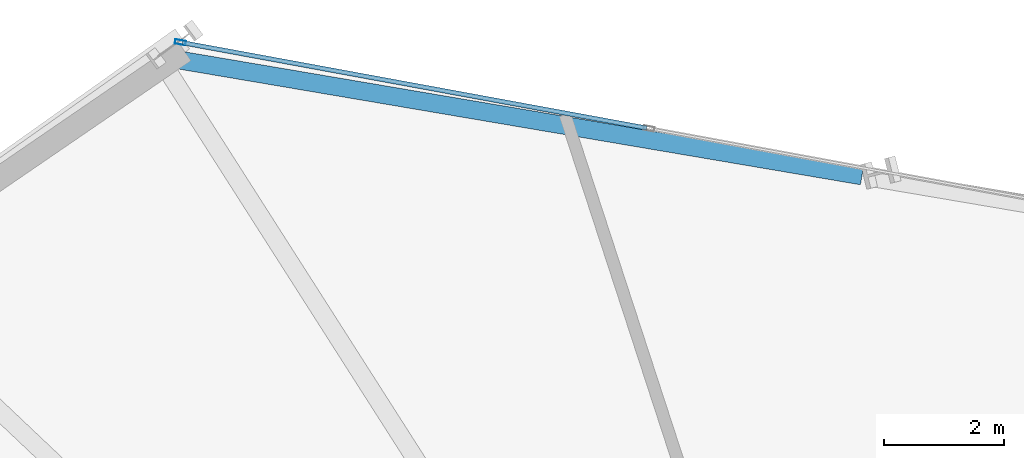
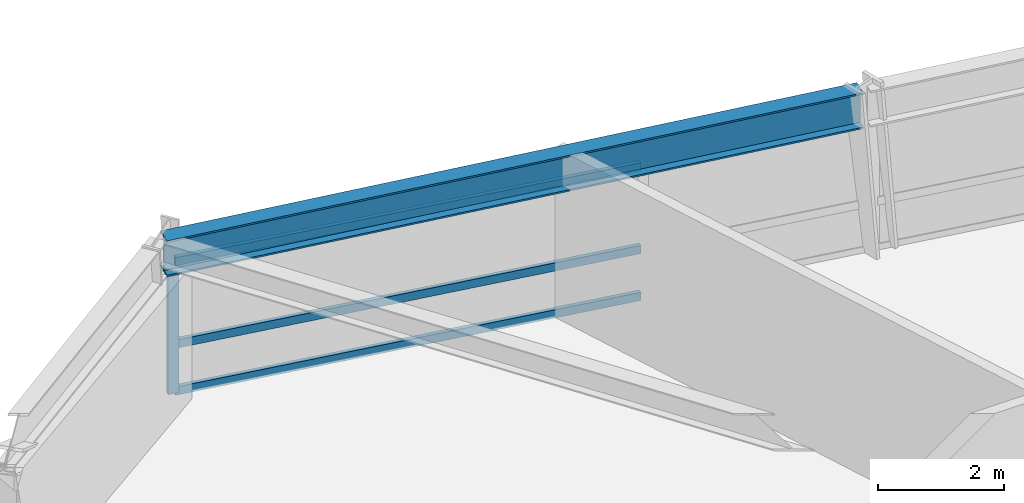
# One storey, part 8 of 20: 4 members, 1 beam, 1 element without a shape of its own.
"""IFC4 building model written with IfcOpenShell, lengths in metres."""

from ifc_helpers import new_model, si_unit, direction, frame, origin, origin_2d, place, context, subcontext, project, spatial, hollow_rectangle, i_section, extrude, source, transform, mapped, material, material_profile, profile_set, type_object, element, aggregate, save


model = new_model("IFC4")

# Units and contexts
model_context = context("Model", 3, precision=1e-05, world=origin(), true_north=direction((0.0, 1.0)))
body_context = subcontext(model_context, "Body", "Model", "MODEL_VIEW")
ifc_project = project(units=[si_unit("LENGTHUNIT", "METRE"), si_unit("AREAUNIT", "SQUARE_METRE"), si_unit("VOLUMEUNIT", "CUBIC_METRE"), si_unit("PLANEANGLEUNIT", "RADIAN"), si_unit("MASSUNIT", "GRAM", prefix="KILO")], contexts=[model_context])

# Site, building, storey
site_placement = place(None, origin())
site = spatial("IfcSite", under=ifc_project, at=site_placement, CompositionType="ELEMENT")
building_placement = place(site_placement, origin())
building = spatial("IfcBuilding", under=site, at=building_placement, Name="Olszyna Solenne Hotel", CompositionType="ELEMENT")
storey_placement = place(building_placement, frame((0.0, 0.0, 43.5)))
storey = spatial("IfcBuildingStorey", under=building, at=storey_placement, Name="L10", CompositionType="ELEMENT", Elevation=43.5)

# Beam
ifc_material_1 = material(Name="Steel S355J2", Category="steel")
ifc_material_profile_1 = material_profile(ifc_material_1, i_section(OverallWidth=0.300048828125, OverallDepth=0.699951171875, WebThickness=0.01708984375, FlangeThickness=0.031982421875, at=origin_2d()), Name="HEB 700", Category="load-bearing")
ifc_profile_set_1 = profile_set([ifc_material_profile_1], Name="Steel S355J2")
beam_type = type_object("IfcBeamType", Name="BM-S1", PredefinedType="BEAM", material=ifc_profile_set_1)
shared_shape_1 = source(origin(), body_context, "Body", "SweptSolid", [
    extrude(i_section(OverallWidth=0.300048828125, OverallDepth=0.699951171875, WebThickness=0.01708984375, FlangeThickness=0.031982421875, at=origin_2d()), origin(), (0.0, 0.0, 1.0), 11.829833984375),
])
beam_placement = place(storey_placement, frame((36.510498046875, 45.308837890625, 2.949951171875), z_axis=(-0.985900957351, 0.167329920502, 0.0), x_axis=(-0.167329920502, -0.985900957351, 0.0)))
element("IfcBeam", 1, at=beam_placement, inside=storey, type_object=beam_type, Name="Perimeter spandrel beam BM-S1 B-L10-0321", PredefinedType="BEAM", context=body_context, shape_type="MappedRepresentation", body=[
    mapped(shared_shape_1, transform((0.0, 0.0, 0.0), x_axis=(1.0, 0.0, 0.0), y_axis=(0.0, 1.0, 0.0), z_axis=(0.0, 0.0, 1.0), scale=1.0)),
])

# Curtain wall, members
ifc_material_2 = material(Name="Anodised bronze aluminium", Category="aluminium")
curtain_wall_type = type_object("IfcCurtainWallType", Name="CW-SYS-2", PredefinedType="NOTDEFINED", material=ifc_material_2)
curtain_wall_placement = place(storey_placement, origin())
curtain_wall = element("IfcCurtainWall", 2, at=curtain_wall_placement, inside=storey, type_object=curtain_wall_type, Name="Unitised curtain wall CW-SYS-2 CW-L10-02", PredefinedType="NOTDEFINED")
ifc_material_profile_2 = material_profile(ifc_material_2, hollow_rectangle(XDim=0.074951171875, YDim=0.179931640625, WallThickness=0.00439453125, at=origin_2d()), Name="MULL 180x75x4.5", Category="load-bearing")
ifc_profile_set_2 = profile_set([ifc_material_profile_2], Name="Anodised bronze aluminium")
member_type_1 = type_object("IfcMemberType", Name="CW-M2", PredefinedType="MULLION", material=ifc_profile_set_2)
shared_shape_2 = source(origin(), body_context, "Body", "SweptSolid", [
    extrude(hollow_rectangle(XDim=0.074951171875, YDim=0.179931640625, WallThickness=0.00439453125, at=origin_2d()), origin(), (0.0, 0.0, 1.0), 2.592041015625),
])
member_1_placement = place(storey_placement, frame((25.151611328125, 47.534912109375, 0.0), z_axis=(0.0, 0.0, 1.0), x_axis=(0.180946004206, 0.983493031781, 0.0)))
member_1 = element("IfcMember", 3, at=member_1_placement, type_object=member_type_1, Name="Curtain-wall mullion CW-M2 CM-L10-02-01", PredefinedType="MULLION", context=body_context, shape_type="MappedRepresentation", body=[
    mapped(shared_shape_2, transform((0.0, 0.0, 0.0), x_axis=(1.0, 0.0, 0.0), y_axis=(0.0, 1.0, 0.0), z_axis=(0.0, 0.0, 1.0), scale=1.0)),
])
ifc_material_profile_3 = material_profile(ifc_material_2, hollow_rectangle(XDim=0.074951171875, YDim=0.159912109375, WallThickness=0.00390625, at=origin_2d()), Name="TRAN 160x75x4", Category="load-bearing")
ifc_profile_set_3 = profile_set([ifc_material_profile_3], Name="Anodised bronze aluminium")
member_type_2 = type_object("IfcMemberType", Name="CW-T1", PredefinedType="USERDEFINED", material=ifc_profile_set_3)
shared_shape_3 = source(origin(), body_context, "Body", "SweptSolid", [
    extrude(hollow_rectangle(XDim=0.074951171875, YDim=0.159912109375, WallThickness=0.00390625, at=origin_2d()), origin(), (0.0, 0.0, 1.0), 7.865234375),
])
member_2_placement = place(storey_placement, frame((25.1884765625, 47.5283203125, 0.03759765625), z_axis=(0.983489261785, -0.18096649401, 0.0), x_axis=(0.18096649401, 0.983489261785, 0.0)))
member_2 = element("IfcMember", 4, at=member_2_placement, type_object=member_type_2, Name="Curtain-wall transom CW-T1 CT-L10-02-01", ObjectType="TRANSOM", PredefinedType="USERDEFINED", context=body_context, shape_type="MappedRepresentation", body=[
    mapped(shared_shape_3, transform((0.0, 0.0, 0.0), x_axis=(1.0, 0.0, 0.0), y_axis=(0.0, 1.0, 0.0), z_axis=(0.0, 0.0, 1.0), scale=1.0)),
])
member_3_placement = place(storey_placement, frame((25.1884765625, 47.5283203125, 0.949951171875), z_axis=(0.983489261785, -0.18096649401, 0.0), x_axis=(0.18096649401, 0.983489261785, 0.0)))
member_3 = element("IfcMember", 5, at=member_3_placement, type_object=member_type_2, Name="Curtain-wall transom CW-T1 CT-L10-02-02", ObjectType="TRANSOM", PredefinedType="USERDEFINED", context=body_context, shape_type="MappedRepresentation", body=[
    mapped(shared_shape_3, transform((0.0, 0.0, 0.0), x_axis=(1.0, 0.0, 0.0), y_axis=(0.0, 1.0, 0.0), z_axis=(0.0, 0.0, 1.0), scale=1.0)),
])
member_4_placement = place(storey_placement, frame((25.1884765625, 47.5283203125, 2.554443359375), z_axis=(0.983489261785, -0.18096649401, 0.0), x_axis=(0.18096649401, 0.983489261785, 0.0)))
member_4 = element("IfcMember", 6, at=member_4_placement, type_object=member_type_2, Name="Curtain-wall transom CW-T1 CT-L10-02-03", ObjectType="TRANSOM", PredefinedType="USERDEFINED", context=body_context, shape_type="MappedRepresentation", body=[
    mapped(shared_shape_3, transform((0.0, 0.0, 0.0), x_axis=(1.0, 0.0, 0.0), y_axis=(0.0, 1.0, 0.0), z_axis=(0.0, 0.0, 1.0), scale=1.0)),
])
aggregate(curtain_wall, [member_1, member_2, member_3, member_4])

save(model, "model.ifc")
